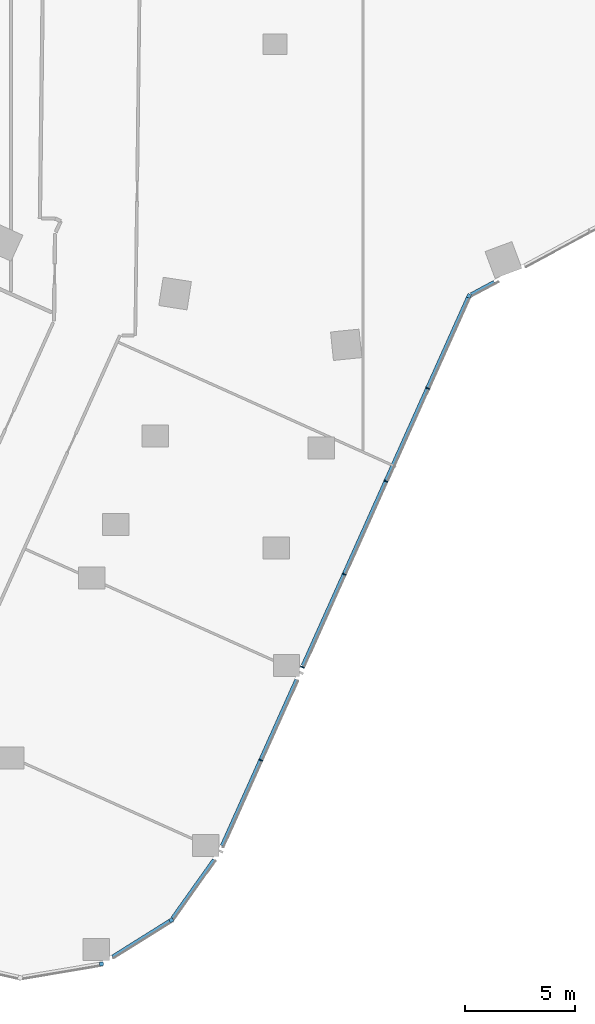
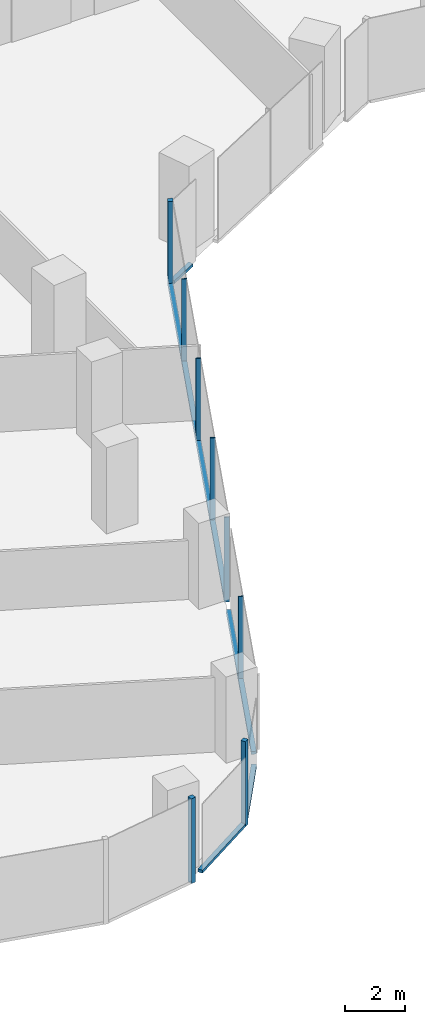
# One storey, part 5 of 34: 13 members, 5 elements without a shape of their own.
"""IFC4 building model written with IfcOpenShell, lengths in metres."""

from ifc_helpers import new_model, si_unit, direction, frame, origin, origin_2d, place, context, subcontext, project, spatial, rectangle, extrude, material, material_profile, profile_set, type_object, element, aggregate, save


model = new_model("IFC4")

# Units and contexts
model_context = context("Model", 3, precision=1e-05, world=origin(), true_north=direction((0.0, 1.0)))
body_context = subcontext(model_context, "Body", "Model", "MODEL_VIEW")
ifc_project = project(units=[si_unit("LENGTHUNIT", "METRE"), si_unit("AREAUNIT", "SQUARE_METRE"), si_unit("VOLUMEUNIT", "CUBIC_METRE"), si_unit("PLANEANGLEUNIT", "RADIAN"), si_unit("MASSUNIT", "GRAM", prefix="KILO")], contexts=[model_context])

# Site, building, storey
site_placement = place(None, origin())
site = spatial("IfcSite", under=ifc_project, at=site_placement, CompositionType="ELEMENT")
building_placement = place(site_placement, origin())
building = spatial("IfcBuilding", under=site, at=building_placement, Name="Orlundy Tower", CompositionType="ELEMENT")
storey_placement = place(building_placement, frame((0.0, 0.0, 137.699951171875)))
storey = spatial("IfcBuildingStorey", under=building, at=storey_placement, Name="L35", CompositionType="ELEMENT", Elevation=137.699951171875)

# Curtain wall, member
ifc_material_1 = material(Name="Aluminium bronze anodised", Category="aluminium")
curtain_wall_type = type_object("IfcCurtainWallType", Name="CW1 wall", PredefinedType="NOTDEFINED", material=ifc_material_1)
curtain_wall_1_placement = place(storey_placement, origin())
curtain_wall_1 = element("IfcCurtainWall", 1, at=curtain_wall_1_placement, inside=storey, type_object=curtain_wall_type, Name="CW1 run 018", PredefinedType="NOTDEFINED")
ifc_material_2 = material(Name="Aluminium bronze anodised", Category="aluminium")
ifc_material_profile_1 = material_profile(ifc_material_2, rectangle(XDim=0.179931640625, YDim=0.179931640625, at=origin_2d()), Name="CW1 corner post 180x180")
ifc_profile_set_1 = profile_set([ifc_material_profile_1], Name="Aluminium bronze anodised")
member_type_1 = type_object("IfcMemberType", Name="CW1 corner post 180x180", PredefinedType="MULLION", material=ifc_profile_set_1)
member_1_placement = place(storey_placement, frame((8.8125, -29.433837890625, -0.39990234375), z_axis=(0.0, 0.0, 1.0), x_axis=(0.912352676112, -0.409405171428, 0.0)))
member_1 = element("IfcMember", 2, at=member_1_placement, type_object=member_type_1, Name="CW1 mullion 51", PredefinedType="MULLION", context=body_context, shape_type="SweptSolid", body=[
    extrude(rectangle(XDim=0.179931640625, YDim=0.179931640625, at=origin_2d()), origin(), (0.0, 0.0, 1.0), 3.449951171875),
])

curtain_wall_2_placement = place(storey_placement, origin())
curtain_wall_2 = element("IfcCurtainWall", 3, at=curtain_wall_2_placement, inside=storey, type_object=curtain_wall_type, Name="CW1 run 020", PredefinedType="NOTDEFINED")
member_2_placement = place(storey_placement, frame((-4.717041015625, -57.8056640625, -0.39990234375), z_axis=(0.0, 0.0, 1.0), x_axis=(0.531138080086, -0.847285276564, 0.0)))
member_2 = element("IfcMember", 4, at=member_2_placement, type_object=member_type_1, Name="CW1 mullion 58", PredefinedType="MULLION", context=body_context, shape_type="SweptSolid", body=[
    extrude(rectangle(XDim=0.179931640625, YDim=0.179931640625, at=origin_2d()), origin(), (0.0, 0.0, 1.0), 3.449951171875),
])

curtain_wall_3_placement = place(storey_placement, origin())
curtain_wall_3 = element("IfcCurtainWall", 5, at=curtain_wall_3_placement, inside=storey, type_object=curtain_wall_type, Name="CW1 run 021", PredefinedType="NOTDEFINED")
member_3_placement = place(storey_placement, frame((-7.888427734375, -59.793701171875, -0.39990234375), z_axis=(0.0, 0.0, 1.0), x_axis=(0.166454797856, -0.986049086137, 0.0)))
member_3 = element("IfcMember", 6, at=member_3_placement, type_object=member_type_1, Name="CW1 mullion 59", PredefinedType="MULLION", context=body_context, shape_type="SweptSolid", body=[
    extrude(rectangle(XDim=0.179931640625, YDim=0.179931640625, at=origin_2d()), origin(), (0.0, 0.0, 1.0), 3.449951171875),
])
aggregate(curtain_wall_3, [member_3])

# Member
ifc_material_3 = material(Name="Aluminium bronze anodised", Category="aluminium")
ifc_material_profile_2 = material_profile(ifc_material_3, rectangle(XDim=0.179931640625, YDim=0.050048828125, at=origin_2d()), Name="CW1 mullion 50x180")
ifc_profile_set_2 = profile_set([ifc_material_profile_2], Name="Aluminium bronze anodised")
member_type_2 = type_object("IfcMemberType", Name="CW1 mullion 50x180", PredefinedType="MULLION", material=ifc_profile_set_2)
member_4_placement = place(storey_placement, frame((6.92919921875, -33.630615234375, -0.39990234375), z_axis=(0.0, 0.0, 1.0), x_axis=(0.912352676112, -0.409405171428, 0.0)))
member_4 = element("IfcMember", 7, at=member_4_placement, type_object=member_type_2, Name="CW1 mullion 52", PredefinedType="MULLION", context=body_context, shape_type="SweptSolid", body=[
    extrude(rectangle(XDim=0.179931640625, YDim=0.050048828125, at=origin_2d()), origin(), (0.0, 0.0, 1.0), 3.449951171875),
])

member_5_placement = place(storey_placement, frame((5.033447265625, -37.85546875, -0.39990234375), z_axis=(0.0, 0.0, 1.0), x_axis=(0.912352676112, -0.409405171428, 0.0)))
member_5 = element("IfcMember", 8, at=member_5_placement, type_object=member_type_2, Name="CW1 mullion 53", PredefinedType="MULLION", context=body_context, shape_type="SweptSolid", body=[
    extrude(rectangle(XDim=0.179931640625, YDim=0.050048828125, at=origin_2d()), origin(), (0.0, 0.0, 1.0), 3.449951171875),
])

member_6_placement = place(storey_placement, frame((3.1376953125, -42.080322265625, -0.39990234375), z_axis=(0.0, 0.0, 1.0), x_axis=(0.912352676112, -0.409405171428, 0.0)))
member_6 = element("IfcMember", 9, at=member_6_placement, type_object=member_type_2, Name="CW1 mullion 54", PredefinedType="MULLION", context=body_context, shape_type="SweptSolid", body=[
    extrude(rectangle(XDim=0.179931640625, YDim=0.050048828125, at=origin_2d()), origin(), (0.0, 0.0, 1.0), 3.449951171875),
])

member_7_placement = place(storey_placement, frame((1.24169921875, -46.30517578125, -0.39990234375), z_axis=(0.0, 0.0, 1.0), x_axis=(0.912352676112, -0.409405171428, 0.0)))
member_7 = element("IfcMember", 10, at=member_7_placement, type_object=member_type_2, Name="CW1 mullion 55", PredefinedType="MULLION", context=body_context, shape_type="SweptSolid", body=[
    extrude(rectangle(XDim=0.179931640625, YDim=0.050048828125, at=origin_2d()), origin(), (0.0, 0.0, 1.0), 3.449951171875),
])

member_8_placement = place(storey_placement, frame((-0.654052734375, -50.530029296875, -0.39990234375), z_axis=(0.0, 0.0, 1.0), x_axis=(0.912352676112, -0.409405171428, 0.0)))
member_8 = element("IfcMember", 11, at=member_8_placement, type_object=member_type_2, Name="CW1 mullion 56", PredefinedType="MULLION", context=body_context, shape_type="SweptSolid", body=[
    extrude(rectangle(XDim=0.179931640625, YDim=0.050048828125, at=origin_2d()), origin(), (0.0, 0.0, 1.0), 3.449951171875),
])

# Curtain wall, member
curtain_wall_4_placement = place(storey_placement, origin())
curtain_wall_4 = element("IfcCurtainWall", 12, at=curtain_wall_4_placement, inside=storey, type_object=curtain_wall_type, Name="CW1 run 017", PredefinedType="NOTDEFINED")
ifc_material_4 = material(Name="Aluminium bronze anodised", Category="aluminium")
ifc_material_profile_3 = material_profile(ifc_material_4, rectangle(XDim=0.179931640625, YDim=0.1201171875, at=origin_2d()), Name="CW1 transom 180x120")
ifc_profile_set_3 = profile_set([ifc_material_profile_3], Name="Aluminium bronze anodised")
member_type_3 = type_object("IfcMemberType", Name="CW1 transom 180x120", PredefinedType="USERDEFINED", material=ifc_profile_set_3)
member_9_placement = place(storey_placement, frame((9.961669921875, -28.81396484375, -0.33984375), z_axis=(-0.880155276698, -0.474685884455, 0.0), x_axis=(0.474685884455, -0.880155276698, 0.0)))
member_9 = element("IfcMember", 13, at=member_9_placement, type_object=member_type_3, Name="CW1 transom", ObjectType="TRANSOM", PredefinedType="USERDEFINED", context=body_context, shape_type="SweptSolid", body=[
    extrude(rectangle(XDim=0.179931640625, YDim=0.1201171875, at=origin_2d()), origin(), (0.0, 0.0, 1.0), 1.192138671875),
])
aggregate(curtain_wall_4, [member_9])

# Member
member_10_placement = place(storey_placement, frame((8.77587890625, -29.515869140625, -0.33984375), z_axis=(-0.409407216328, -0.912351758489, 0.0), x_axis=(0.912351758489, -0.409407216328, 0.0)))
member_10 = element("IfcMember", 14, at=member_10_placement, type_object=member_type_3, Name="CW1 transom", ObjectType="TRANSOM", PredefinedType="USERDEFINED", context=body_context, shape_type="SweptSolid", body=[
    extrude(rectangle(XDim=0.179931640625, YDim=0.1201171875, at=origin_2d()), origin(), (0.0, 0.0, 1.0), 18.3359375),
])

member_11_placement = place(storey_placement, frame((0.9833984375, -46.881103515625, -0.33984375), z_axis=(-0.409420400419, -0.912345842168, 0.0), x_axis=(0.912345842168, -0.409420400419, 0.0)))
member_11 = element("IfcMember", 15, at=member_11_placement, type_object=member_type_3, Name="CW1 transom", ObjectType="TRANSOM", PredefinedType="USERDEFINED", context=body_context, shape_type="SweptSolid", body=[
    extrude(rectangle(XDim=0.179931640625, YDim=0.1201171875, at=origin_2d()), origin(), (0.0, 0.0, 1.0), 8.26904296875),
])

aggregate(curtain_wall_1, [member_1, member_4, member_5, member_6, member_7, member_8, member_10, member_11])

# Curtain wall, member
curtain_wall_5_placement = place(storey_placement, origin())
curtain_wall_5 = element("IfcCurtainWall", 16, at=curtain_wall_5_placement, inside=storey, type_object=curtain_wall_type, Name="CW1 run 019", PredefinedType="NOTDEFINED")
member_12_placement = place(storey_placement, frame((-2.76611328125, -55.06201171875, -0.33984375), z_axis=(-0.579506151389, -0.814967864705, 0.0), x_axis=(0.814967864705, -0.579506151389, 0.0)))
member_12 = element("IfcMember", 17, at=member_12_placement, type_object=member_type_3, Name="CW1 transom", ObjectType="TRANSOM", PredefinedType="USERDEFINED", context=body_context, shape_type="SweptSolid", body=[
    extrude(rectangle(XDim=0.179931640625, YDim=0.1201171875, at=origin_2d()), origin(), (0.0, 0.0, 1.0), 3.269287109375),
])
aggregate(curtain_wall_5, [member_12])

# Member
member_13_placement = place(storey_placement, frame((-4.793212890625, -57.853515625, -0.33984375), z_axis=(-0.847297814047, -0.531118079442, 0.0), x_axis=(0.531118079442, -0.847297814047, 0.0)))
member_13 = element("IfcMember", 18, at=member_13_placement, type_object=member_type_3, Name="CW1 transom", ObjectType="TRANSOM", PredefinedType="USERDEFINED", context=body_context, shape_type="SweptSolid", body=[
    extrude(rectangle(XDim=0.179931640625, YDim=0.1201171875, at=origin_2d()), origin(), (0.0, 0.0, 1.0), 3.057861328125),
])

aggregate(curtain_wall_2, [member_2, member_13])

save(model, "model.ifc")
